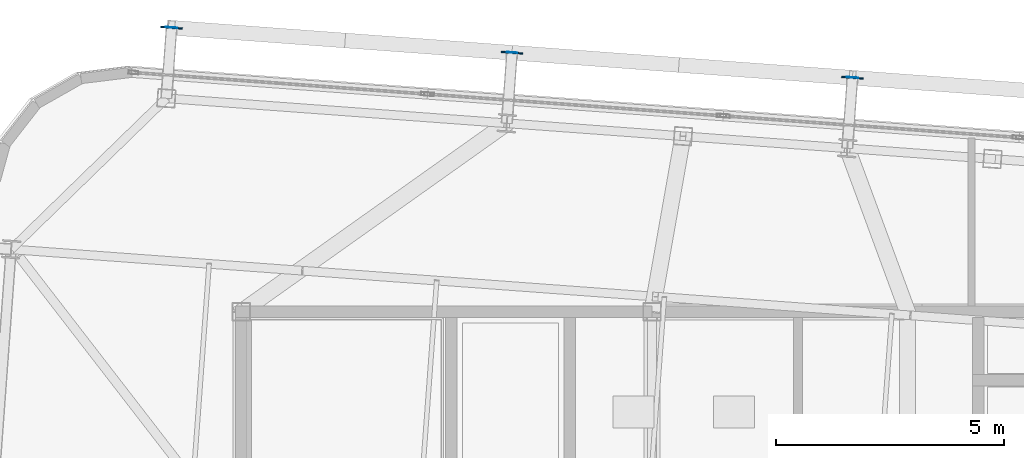
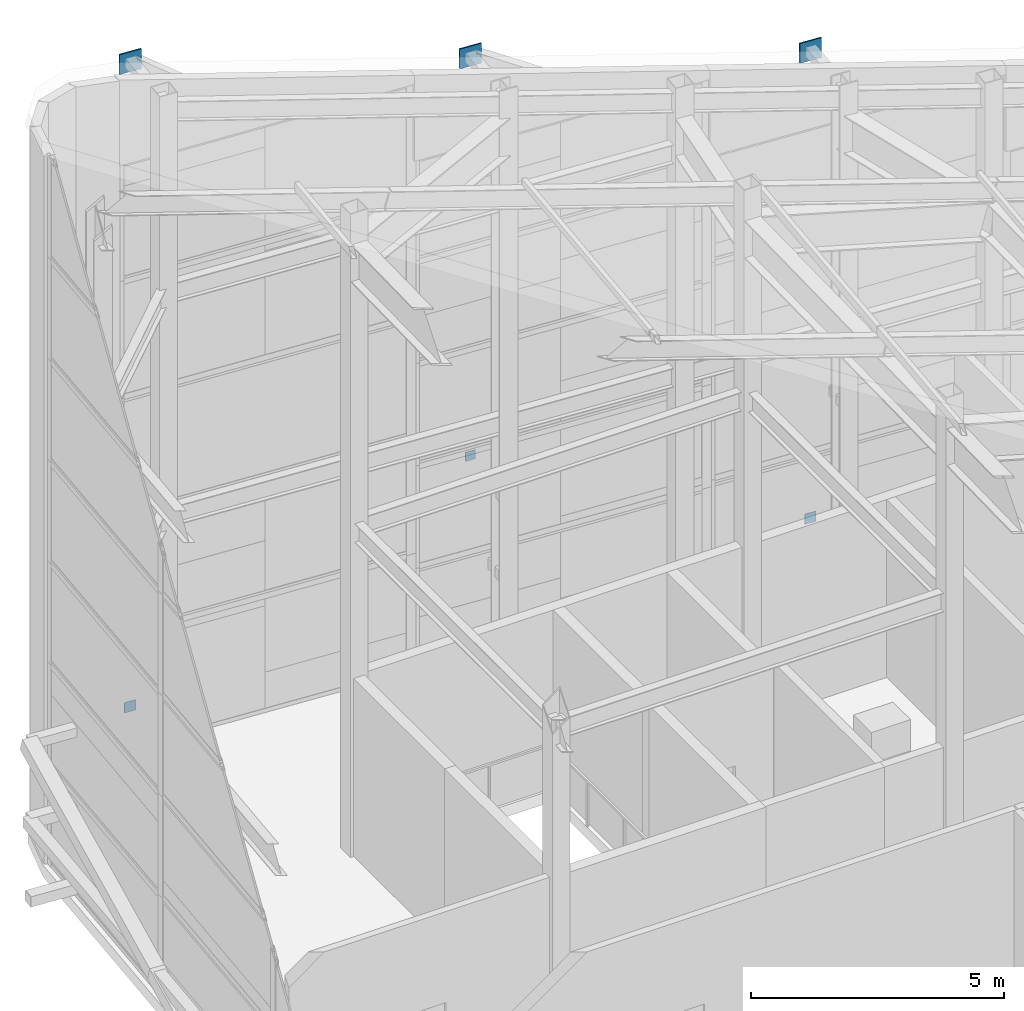
# One storey, part 51 of 56: 6 plates.
"""IFC4 building model written with IfcOpenShell, lengths in metres."""

from ifc_helpers import new_model, si_unit, direction, frame, origin, origin_2d, place, context, subcontext, project, spatial, rectangle, extrude, source, transform, mapped, material, layer, layer_set, type_object, element, save


model = new_model("IFC4")

# Units and contexts
model_context = context("Model", 3, precision=1e-05, world=origin(), true_north=direction((0.0, 1.0)))
body_context = subcontext(model_context, "Body", "Model", "MODEL_VIEW")
ifc_project = project(units=[si_unit("LENGTHUNIT", "METRE"), si_unit("AREAUNIT", "SQUARE_METRE"), si_unit("VOLUMEUNIT", "CUBIC_METRE"), si_unit("PLANEANGLEUNIT", "RADIAN"), si_unit("MASSUNIT", "GRAM", prefix="KILO")], contexts=[model_context])

# Site, building, storey
site_placement = place(None, origin())
site = spatial("IfcSite", under=ifc_project, at=site_placement, CompositionType="ELEMENT")
building_placement = place(site_placement, origin())
building = spatial("IfcBuilding", under=site, at=building_placement, Name="Taldren Reach Tower", CompositionType="ELEMENT")
storey_placement = place(building_placement, frame((0.0, 0.0, 253.050048828125)))
storey = spatial("IfcBuildingStorey", under=building, at=storey_placement, Name="L77", CompositionType="ELEMENT", Elevation=253.050048828125)

# Plates
ifc_material_1 = material(Name="Steel Gr 350 (C350L0)", Category="steel")
ifc_layer_1 = layer(ifc_material_1, 0.011962890625)
ifc_layer_set_1 = layer_set([ifc_layer_1], Name="Steel Gr 350 (C350L0)")
plate_type_1 = type_object("IfcPlateType", Name="PL-CAP-250", PredefinedType="SHEET", material=ifc_layer_set_1)
shared_shape_1 = source(origin(), body_context, "Body", "SweptSolid", [
    extrude(rectangle(XDim=0.25, YDim=0.011962890625, at=origin_2d()), origin(), (0.0, 0.0, 1.0), 0.25),
])
for number, where, z_axis, x_axis, name in (
    (1, (17.4736328125, 38.230712890625, 0.094970703125), (0.0, 0.0, 1.0), (0.997314477224, -0.073238197128, 0.0), "Tie strut end cap plate B5-N1 L77"),
    (2, (32.3935546875, 37.135009765625, 0.094970703125), (0.0, 0.0, 1.0), (0.997314477224, -0.073238197128, 0.0), "Tie strut end cap plate B5-N3 L77"),
):
    element("IfcPlate", number, at=place(storey_placement, frame(where, z_axis=z_axis, x_axis=x_axis)), inside=storey, type_object=plate_type_1, Name=name, PredefinedType="SHEET", context=body_context, shape_type="MappedRepresentation", body=[
        mapped(shared_shape_1, transform((0.0, 0.0, 0.0), scale=1.0)),
    ])
ifc_material_2 = material(Name="Steel Gr 450 (C450L0)", Category="steel")
ifc_layer_2 = layer(ifc_material_2, 0.031982421875)
ifc_layer_set_2 = layer_set([ifc_layer_2], Name="Steel Gr 450 (C450L0)")
plate_type_2 = type_object("IfcPlateType", Name="PL-GUSSET-32", PredefinedType="SHEET", material=ifc_layer_set_2)
shared_shape_2 = source(origin(), body_context, "Body", "SweptSolid", [
    extrude(rectangle(XDim=0.47998046875, YDim=0.031982421875, at=origin_2d()), origin(), (0.0, 0.0, 1.0), 0.47998046875),
])
for number, where, z_axis, x_axis, name in (
    (3, (17.473388671875, 38.224609375, 15.570556640625), (0.0, 0.0, 1.0), (0.997314477224, -0.073238197128, 0.0), "Exoskeleton star-node gusset plate B5-N1 L77"),
    (4, (24.93310546875, 37.677001953125, 13.42626953125), (0.0, 0.0, 1.0), (0.997314477224, -0.073238197128, 0.0), "Exoskeleton star-node gusset plate B5-N2 L77"),
    (5, (32.39306640625, 37.129150390625, 11.281982421875), (0.0, 0.0, 1.0), (0.997314477224, -0.073238197128, 0.0), "Exoskeleton star-node gusset plate B5-N3 L77"),
):
    element("IfcPlate", number, at=place(storey_placement, frame(where, z_axis=z_axis, x_axis=x_axis)), inside=storey, type_object=plate_type_2, Name=name, PredefinedType="SHEET", context=body_context, shape_type="MappedRepresentation", body=[
        mapped(shared_shape_2, transform((0.0, 0.0, 0.0), scale=1.0)),
    ])
ifc_layer_3 = layer(ifc_material_2, 0.011962890625)
ifc_layer_set_3 = layer_set([ifc_layer_3], Name="Steel Gr 450 (C450L0)")
plate_type_3 = type_object("IfcPlateType", Name="PL-CAP-220", PredefinedType="SHEET", material=ifc_layer_set_3)
shared_shape_3 = source(origin(), body_context, "Body", "SweptSolid", [
    extrude(rectangle(XDim=0.219970703125, YDim=0.011962890625, at=origin_2d()), origin(), (0.0, 0.0, 1.0), 0.219970703125),
])
plate_placement = place(storey_placement, frame((24.93359375, 37.682861328125, 3.89013671875), z_axis=(0.0, 0.0, 1.0), x_axis=(0.997314477224, -0.073238197128, 0.0)))
element("IfcPlate", 6, at=plate_placement, inside=storey, type_object=plate_type_3, Name="Tie strut end cap plate B5-N2 L77", PredefinedType="SHEET", context=body_context, shape_type="MappedRepresentation", body=[
    mapped(shared_shape_3, transform((0.0, 0.0, 0.0), scale=1.0)),
])

save(model, "model.ifc")
